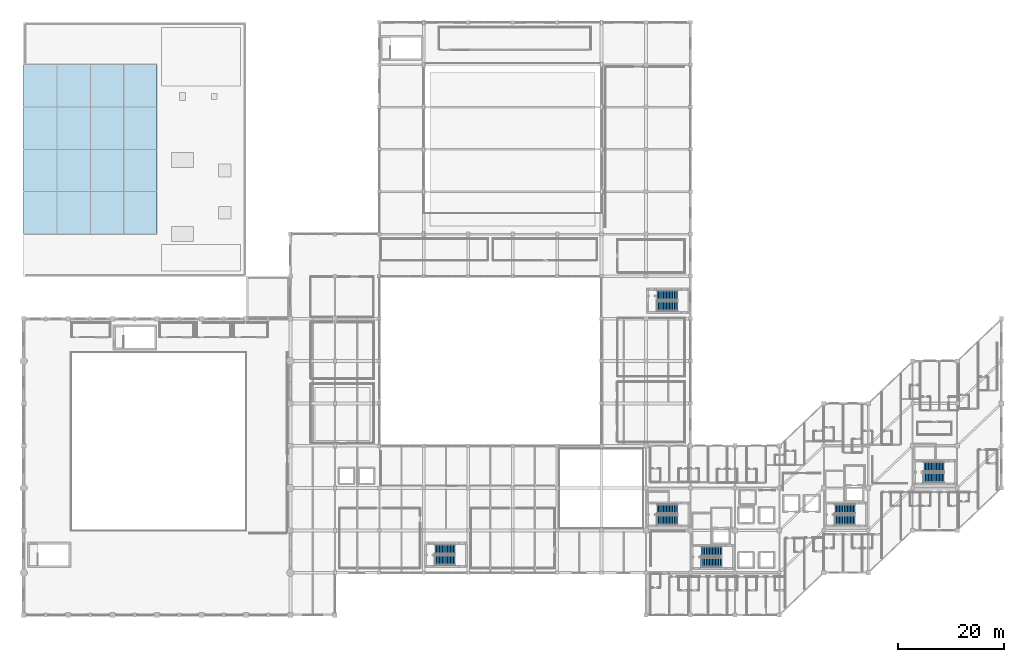
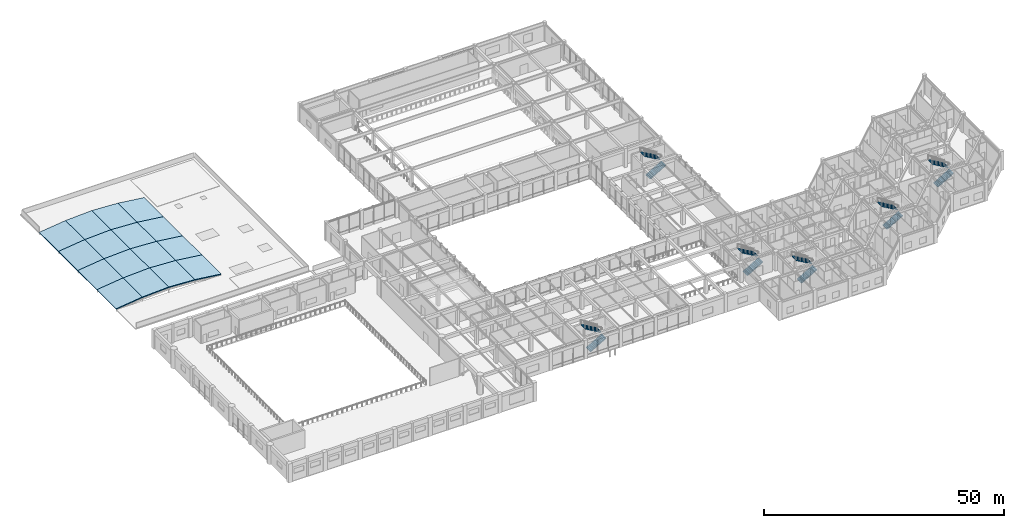
# One storey, part 66 of 76: 16 roofs, 12 stair flights, 6 elements without a shape of their own.
"""IFC4 building model written with IfcOpenShell, lengths in metres."""

from ifc_helpers import new_model, si_unit, direction, frame, origin, place, context, subcontext, project, spatial, polyline, outline, extrude, material, layer, layer_set, type_object, element, aggregate, save


model = new_model("IFC4")

# Units and contexts
model_context = context("Model", 3, precision=1e-05, world=origin(), true_north=direction((0.0, 1.0)))
body_context = subcontext(model_context, "Body", "Model", "MODEL_VIEW")
ifc_project = project(units=[si_unit("LENGTHUNIT", "METRE"), si_unit("AREAUNIT", "SQUARE_METRE"), si_unit("VOLUMEUNIT", "CUBIC_METRE"), si_unit("PLANEANGLEUNIT", "RADIAN"), si_unit("MASSUNIT", "GRAM", prefix="KILO")], contexts=[model_context])

# Site, building, storey
site_placement = place(None, origin())
site = spatial("IfcSite", under=ifc_project, at=site_placement, CompositionType="ELEMENT")
building_placement = place(site_placement, origin())
building = spatial("IfcBuilding", under=site, at=building_placement, Name="Naruveol Harbour Congress Hotel", CompositionType="ELEMENT")
storey_placement = place(building_placement, frame((0.0, 0.0, 11.39990234375)))
storey = spatial("IfcBuildingStorey", under=building, at=storey_placement, Name="L02", CompositionType="ELEMENT", Elevation=11.39990234375)

# Stair, stair flights
ifc_material_1 = material(Name="Concrete C40/50", Category="concrete")
stair_type = type_object("IfcStairType", Name="RC DOG LEG ESCAPE STAIR 1800W H4800", PredefinedType="HALF_TURN_STAIR", material=ifc_material_1)
stair_1_placement = place(storey_placement, origin())
stair_1 = element("IfcStair", 1, at=stair_1_placement, inside=storey, type_object=stair_type, Name="Special Escape Stair ST1 L02 to L03", PredefinedType="HALF_TURN_STAIR")
ifc_material_2 = material(Name="Concrete C40/50", Category="concrete")
stair_flight_type = type_object("IfcStairFlightType", Name="RC STRAIGHT STAIR FLIGHT 1800W R14", PredefinedType="STRAIGHT", material=ifc_material_2)
stair_flight_1_placement = place(storey_placement, frame((128.10009765625, 9.919921875, 0.0), z_axis=(0.0, 0.0, 1.0), x_axis=(1.0, 0.0, 0.0)))
stair_flight_1 = element("IfcStairFlight", 2, at=stair_flight_1_placement, type_object=stair_flight_type, Name="ST1 L02 lower flight", NumberOfRisers=14, NumberOfTreads=13, PredefinedType="STRAIGHT", RiserHeight=0.171429, TreadLength=0.295, context=body_context, shape_type="SweptSolid", body=[
    extrude(outline(polyline([(0.0, 0.0), (0.0, 0.17138671875), (0.294921875, 0.17138671875), (0.294921875, 0.3427734375), (0.590087890625, 0.3427734375), (0.590087890625, 0.514404296875), (0.885009765625, 0.514404296875), (0.885009765625, 0.685791015625), (1.179931640625, 0.685791015625), (1.179931640625, 0.857177734375), (1.47509765625, 0.857177734375), (1.47509765625, 1.028564453125), (1.77001953125, 1.028564453125), (1.77001953125, 1.199951171875), (2.06494140625, 1.199951171875), (2.06494140625, 1.371337890625), (2.360107421875, 1.371337890625), (2.360107421875, 1.54296875), (2.655029296875, 1.54296875), (2.655029296875, 1.71435546875), (2.949951171875, 1.71435546875), (2.949951171875, 1.8857421875), (3.2451171875, 1.8857421875), (3.2451171875, 2.05712890625), (3.5400390625, 2.05712890625), (3.5400390625, 2.228515625), (3.8349609375, 2.228515625), (3.8349609375, 2.39990234375), (3.8349609375, 2.043701171875), (0.318359375, 0.0), (0.0, 0.0)])), frame((0.0, 0.89990234375, 0.0), z_axis=(0.0, -1.0, 0.0), x_axis=(1.0, 0.0, 0.0)), (0.0, 0.0, 1.0), 1.800048828125),
])
stair_flight_2_placement = place(storey_placement, frame((131.93505859375, 12.0400390625, 2.400146484375), z_axis=(0.0, 0.0, 1.0), x_axis=(-1.0, 0.0, 0.0)))
stair_flight_2 = element("IfcStairFlight", 3, at=stair_flight_2_placement, type_object=stair_flight_type, Name="ST1 L02 upper flight", NumberOfRisers=14, NumberOfTreads=13, PredefinedType="STRAIGHT", RiserHeight=0.171429, TreadLength=0.295, context=body_context, shape_type="SweptSolid", body=[
    extrude(outline(polyline([(0.0, 0.0), (0.0, 0.17138671875), (0.294921875, 0.17138671875), (0.294921875, 0.3427734375), (0.590087890625, 0.3427734375), (0.590087890625, 0.514404296875), (0.885009765625, 0.514404296875), (0.885009765625, 0.685791015625), (1.179931640625, 0.685791015625), (1.179931640625, 0.857177734375), (1.47509765625, 0.857177734375), (1.47509765625, 1.028564453125), (1.77001953125, 1.028564453125), (1.77001953125, 1.199951171875), (2.06494140625, 1.199951171875), (2.06494140625, 1.371337890625), (2.360107421875, 1.371337890625), (2.360107421875, 1.54296875), (2.655029296875, 1.54296875), (2.655029296875, 1.71435546875), (2.949951171875, 1.71435546875), (2.949951171875, 1.8857421875), (3.2451171875, 1.8857421875), (3.2451171875, 2.05712890625), (3.5400390625, 2.05712890625), (3.5400390625, 2.228515625), (3.8349609375, 2.228515625), (3.8349609375, 2.39990234375), (3.8349609375, 2.043701171875), (0.318359375, 0.0), (0.0, 0.0)])), frame((0.0, 0.89990234375, 0.0), z_axis=(0.0, -1.0, 0.0), x_axis=(1.0, 0.0, 0.0)), (0.0, 0.0, 1.0), 1.800048828125),
])
aggregate(stair_1, [stair_flight_1, stair_flight_2])

stair_2_placement = place(storey_placement, origin())
stair_2 = element("IfcStair", 4, at=stair_2_placement, inside=storey, type_object=stair_type, Name="Special Escape Stair ST2 L02 to L03", PredefinedType="HALF_TURN_STAIR")
stair_flight_3_placement = place(storey_placement, frame((153.300048828125, 17.919921875, 0.0), z_axis=(0.0, 0.0, 1.0), x_axis=(1.0, 0.0, 0.0)))
stair_flight_3 = element("IfcStairFlight", 5, at=stair_flight_3_placement, type_object=stair_flight_type, Name="ST2 L02 lower flight", NumberOfRisers=14, NumberOfTreads=13, PredefinedType="STRAIGHT", RiserHeight=0.171429, TreadLength=0.295, context=body_context, shape_type="SweptSolid", body=[
    extrude(outline(polyline([(0.0, 0.0), (0.0, 0.17138671875), (0.294921875, 0.17138671875), (0.294921875, 0.3427734375), (0.590087890625, 0.3427734375), (0.590087890625, 0.514404296875), (0.885009765625, 0.514404296875), (0.885009765625, 0.685791015625), (1.179931640625, 0.685791015625), (1.179931640625, 0.857177734375), (1.47509765625, 0.857177734375), (1.47509765625, 1.028564453125), (1.77001953125, 1.028564453125), (1.77001953125, 1.199951171875), (2.06494140625, 1.199951171875), (2.06494140625, 1.371337890625), (2.360107421875, 1.371337890625), (2.360107421875, 1.54296875), (2.655029296875, 1.54296875), (2.655029296875, 1.71435546875), (2.949951171875, 1.71435546875), (2.949951171875, 1.8857421875), (3.2451171875, 1.8857421875), (3.2451171875, 2.05712890625), (3.5400390625, 2.05712890625), (3.5400390625, 2.228515625), (3.8349609375, 2.228515625), (3.8349609375, 2.39990234375), (3.8349609375, 2.043701171875), (0.318359375, 0.0), (0.0, 0.0)])), frame((0.0, 0.89990234375, 0.0), z_axis=(0.0, -1.0, 0.0), x_axis=(1.0, 0.0, 0.0)), (0.0, 0.0, 1.0), 1.800048828125),
])
stair_flight_4_placement = place(storey_placement, frame((157.135009765625, 20.0400390625, 2.400146484375), z_axis=(0.0, 0.0, 1.0), x_axis=(-1.0, 0.0, 0.0)))
stair_flight_4 = element("IfcStairFlight", 6, at=stair_flight_4_placement, type_object=stair_flight_type, Name="ST2 L02 upper flight", NumberOfRisers=14, NumberOfTreads=13, PredefinedType="STRAIGHT", RiserHeight=0.171429, TreadLength=0.295, context=body_context, shape_type="SweptSolid", body=[
    extrude(outline(polyline([(0.0, 0.0), (0.0, 0.17138671875), (0.294921875, 0.17138671875), (0.294921875, 0.3427734375), (0.590087890625, 0.3427734375), (0.590087890625, 0.514404296875), (0.885009765625, 0.514404296875), (0.885009765625, 0.685791015625), (1.179931640625, 0.685791015625), (1.179931640625, 0.857177734375), (1.47509765625, 0.857177734375), (1.47509765625, 1.028564453125), (1.77001953125, 1.028564453125), (1.77001953125, 1.199951171875), (2.06494140625, 1.199951171875), (2.06494140625, 1.371337890625), (2.360107421875, 1.371337890625), (2.360107421875, 1.54296875), (2.655029296875, 1.54296875), (2.655029296875, 1.71435546875), (2.949951171875, 1.71435546875), (2.949951171875, 1.8857421875), (3.2451171875, 1.8857421875), (3.2451171875, 2.05712890625), (3.5400390625, 2.05712890625), (3.5400390625, 2.228515625), (3.8349609375, 2.228515625), (3.8349609375, 2.39990234375), (3.8349609375, 2.043701171875), (0.318359375, 0.0), (0.0, 0.0)])), frame((0.0, 0.89990234375, 0.0), z_axis=(0.0, -1.0, 0.0), x_axis=(1.0, 0.0, 0.0)), (0.0, 0.0, 1.0), 1.800048828125),
])
aggregate(stair_2, [stair_flight_3, stair_flight_4])

stair_3_placement = place(storey_placement, origin())
stair_3 = element("IfcStair", 7, at=stair_3_placement, inside=storey, type_object=stair_type, Name="Special Escape Stair ST3 L02 to L03", PredefinedType="HALF_TURN_STAIR")
stair_flight_5_placement = place(storey_placement, frame((119.699951171875, 17.919921875, 0.0), z_axis=(0.0, 0.0, 1.0), x_axis=(1.0, 0.0, 0.0)))
stair_flight_5 = element("IfcStairFlight", 8, at=stair_flight_5_placement, type_object=stair_flight_type, Name="ST3 L02 lower flight", NumberOfRisers=14, NumberOfTreads=13, PredefinedType="STRAIGHT", RiserHeight=0.171429, TreadLength=0.295, context=body_context, shape_type="SweptSolid", body=[
    extrude(outline(polyline([(0.0, 0.0), (0.0, 0.17138671875), (0.294921875, 0.17138671875), (0.294921875, 0.3427734375), (0.590087890625, 0.3427734375), (0.590087890625, 0.514404296875), (0.885009765625, 0.514404296875), (0.885009765625, 0.685791015625), (1.179931640625, 0.685791015625), (1.179931640625, 0.857177734375), (1.47509765625, 0.857177734375), (1.47509765625, 1.028564453125), (1.77001953125, 1.028564453125), (1.77001953125, 1.199951171875), (2.06494140625, 1.199951171875), (2.06494140625, 1.371337890625), (2.360107421875, 1.371337890625), (2.360107421875, 1.54296875), (2.655029296875, 1.54296875), (2.655029296875, 1.71435546875), (2.949951171875, 1.71435546875), (2.949951171875, 1.8857421875), (3.2451171875, 1.8857421875), (3.2451171875, 2.05712890625), (3.5400390625, 2.05712890625), (3.5400390625, 2.228515625), (3.8349609375, 2.228515625), (3.8349609375, 2.39990234375), (3.8349609375, 2.043701171875), (0.318359375, 0.0), (0.0, 0.0)])), frame((0.0, 0.89990234375, 0.0), z_axis=(0.0, -1.0, 0.0), x_axis=(1.0, 0.0, 0.0)), (0.0, 0.0, 1.0), 1.800048828125),
])
stair_flight_6_placement = place(storey_placement, frame((123.534912109375, 20.0400390625, 2.400146484375), z_axis=(0.0, 0.0, 1.0), x_axis=(-1.0, 0.0, 0.0)))
stair_flight_6 = element("IfcStairFlight", 9, at=stair_flight_6_placement, type_object=stair_flight_type, Name="ST3 L02 upper flight", NumberOfRisers=14, NumberOfTreads=13, PredefinedType="STRAIGHT", RiserHeight=0.171429, TreadLength=0.295, context=body_context, shape_type="SweptSolid", body=[
    extrude(outline(polyline([(0.0, 0.0), (0.0, 0.17138671875), (0.294921875, 0.17138671875), (0.294921875, 0.3427734375), (0.590087890625, 0.3427734375), (0.590087890625, 0.514404296875), (0.885009765625, 0.514404296875), (0.885009765625, 0.685791015625), (1.179931640625, 0.685791015625), (1.179931640625, 0.857177734375), (1.47509765625, 0.857177734375), (1.47509765625, 1.028564453125), (1.77001953125, 1.028564453125), (1.77001953125, 1.199951171875), (2.06494140625, 1.199951171875), (2.06494140625, 1.371337890625), (2.360107421875, 1.371337890625), (2.360107421875, 1.54296875), (2.655029296875, 1.54296875), (2.655029296875, 1.71435546875), (2.949951171875, 1.71435546875), (2.949951171875, 1.8857421875), (3.2451171875, 1.8857421875), (3.2451171875, 2.05712890625), (3.5400390625, 2.05712890625), (3.5400390625, 2.228515625), (3.8349609375, 2.228515625), (3.8349609375, 2.39990234375), (3.8349609375, 2.043701171875), (0.318359375, 0.0), (0.0, 0.0)])), frame((0.0, 0.89990234375, 0.0), z_axis=(0.0, -1.0, 0.0), x_axis=(1.0, 0.0, 0.0)), (0.0, 0.0, 1.0), 1.800048828125),
])
aggregate(stair_3, [stair_flight_5, stair_flight_6])

stair_4_placement = place(storey_placement, origin())
stair_4 = element("IfcStair", 10, at=stair_4_placement, inside=storey, type_object=stair_type, Name="Special Escape Stair ST4 L02 to L03", PredefinedType="HALF_TURN_STAIR")
stair_flight_7_placement = place(storey_placement, frame((170.10009765625, 25.919921875, 0.0), z_axis=(0.0, 0.0, 1.0), x_axis=(1.0, 0.0, 0.0)))
stair_flight_7 = element("IfcStairFlight", 11, at=stair_flight_7_placement, type_object=stair_flight_type, Name="ST4 L02 lower flight", NumberOfRisers=14, NumberOfTreads=13, PredefinedType="STRAIGHT", RiserHeight=0.171429, TreadLength=0.295, context=body_context, shape_type="SweptSolid", body=[
    extrude(outline(polyline([(0.0, 0.0), (0.0, 0.17138671875), (0.294921875, 0.17138671875), (0.294921875, 0.3427734375), (0.590087890625, 0.3427734375), (0.590087890625, 0.514404296875), (0.885009765625, 0.514404296875), (0.885009765625, 0.685791015625), (1.179931640625, 0.685791015625), (1.179931640625, 0.857177734375), (1.47509765625, 0.857177734375), (1.47509765625, 1.028564453125), (1.77001953125, 1.028564453125), (1.77001953125, 1.199951171875), (2.06494140625, 1.199951171875), (2.06494140625, 1.371337890625), (2.360107421875, 1.371337890625), (2.360107421875, 1.54296875), (2.655029296875, 1.54296875), (2.655029296875, 1.71435546875), (2.949951171875, 1.71435546875), (2.949951171875, 1.8857421875), (3.2451171875, 1.8857421875), (3.2451171875, 2.05712890625), (3.5400390625, 2.05712890625), (3.5400390625, 2.228515625), (3.8349609375, 2.228515625), (3.8349609375, 2.39990234375), (3.8349609375, 2.043701171875), (0.318359375, 0.0), (0.0, 0.0)])), frame((0.0, 0.89990234375, 0.0), z_axis=(0.0, -1.0, 0.0), x_axis=(1.0, 0.0, 0.0)), (0.0, 0.0, 1.0), 1.800048828125),
])
stair_flight_8_placement = place(storey_placement, frame((173.93505859375, 28.0400390625, 2.400146484375), z_axis=(0.0, 0.0, 1.0), x_axis=(-1.0, 0.0, 0.0)))
stair_flight_8 = element("IfcStairFlight", 12, at=stair_flight_8_placement, type_object=stair_flight_type, Name="ST4 L02 upper flight", NumberOfRisers=14, NumberOfTreads=13, PredefinedType="STRAIGHT", RiserHeight=0.171429, TreadLength=0.295, context=body_context, shape_type="SweptSolid", body=[
    extrude(outline(polyline([(0.0, 0.0), (0.0, 0.17138671875), (0.294921875, 0.17138671875), (0.294921875, 0.3427734375), (0.590087890625, 0.3427734375), (0.590087890625, 0.514404296875), (0.885009765625, 0.514404296875), (0.885009765625, 0.685791015625), (1.179931640625, 0.685791015625), (1.179931640625, 0.857177734375), (1.47509765625, 0.857177734375), (1.47509765625, 1.028564453125), (1.77001953125, 1.028564453125), (1.77001953125, 1.199951171875), (2.06494140625, 1.199951171875), (2.06494140625, 1.371337890625), (2.360107421875, 1.371337890625), (2.360107421875, 1.54296875), (2.655029296875, 1.54296875), (2.655029296875, 1.71435546875), (2.949951171875, 1.71435546875), (2.949951171875, 1.8857421875), (3.2451171875, 1.8857421875), (3.2451171875, 2.05712890625), (3.5400390625, 2.05712890625), (3.5400390625, 2.228515625), (3.8349609375, 2.228515625), (3.8349609375, 2.39990234375), (3.8349609375, 2.043701171875), (0.318359375, 0.0), (0.0, 0.0)])), frame((0.0, 0.89990234375, 0.0), z_axis=(0.0, -1.0, 0.0), x_axis=(1.0, 0.0, 0.0)), (0.0, 0.0, 1.0), 1.800048828125),
])
aggregate(stair_4, [stair_flight_7, stair_flight_8])

stair_5_placement = place(storey_placement, origin())
stair_5 = element("IfcStair", 13, at=stair_5_placement, inside=storey, type_object=stair_type, Name="Courtyard North-East Exit Stair ST9 L02 to L03", PredefinedType="HALF_TURN_STAIR")
stair_flight_9_placement = place(storey_placement, frame((119.699951171875, 58.320068359375, 0.0), z_axis=(0.0, 0.0, 1.0), x_axis=(1.0, 0.0, 0.0)))
stair_flight_9 = element("IfcStairFlight", 14, at=stair_flight_9_placement, type_object=stair_flight_type, Name="ST9 L02 lower flight", NumberOfRisers=14, NumberOfTreads=13, PredefinedType="STRAIGHT", RiserHeight=0.171429, TreadLength=0.295, context=body_context, shape_type="SweptSolid", body=[
    extrude(outline(polyline([(0.0, 0.0), (0.0, 0.17138671875), (0.294921875, 0.17138671875), (0.294921875, 0.3427734375), (0.590087890625, 0.3427734375), (0.590087890625, 0.514404296875), (0.885009765625, 0.514404296875), (0.885009765625, 0.685791015625), (1.179931640625, 0.685791015625), (1.179931640625, 0.857177734375), (1.47509765625, 0.857177734375), (1.47509765625, 1.028564453125), (1.77001953125, 1.028564453125), (1.77001953125, 1.199951171875), (2.06494140625, 1.199951171875), (2.06494140625, 1.371337890625), (2.360107421875, 1.371337890625), (2.360107421875, 1.54296875), (2.655029296875, 1.54296875), (2.655029296875, 1.71435546875), (2.949951171875, 1.71435546875), (2.949951171875, 1.8857421875), (3.2451171875, 1.8857421875), (3.2451171875, 2.05712890625), (3.5400390625, 2.05712890625), (3.5400390625, 2.228515625), (3.8349609375, 2.228515625), (3.8349609375, 2.39990234375), (3.8349609375, 2.043701171875), (0.318359375, 0.0), (0.0, 0.0)])), frame((0.0, 0.89990234375, 0.0), z_axis=(0.0, -1.0, 0.0), x_axis=(1.0, 0.0, 0.0)), (0.0, 0.0, 1.0), 1.800048828125),
])
stair_flight_10_placement = place(storey_placement, frame((123.534912109375, 60.43994140625, 2.400146484375), z_axis=(0.0, 0.0, 1.0), x_axis=(-1.0, 0.0, 0.0)))
stair_flight_10 = element("IfcStairFlight", 15, at=stair_flight_10_placement, type_object=stair_flight_type, Name="ST9 L02 upper flight", NumberOfRisers=14, NumberOfTreads=13, PredefinedType="STRAIGHT", RiserHeight=0.171429, TreadLength=0.295, context=body_context, shape_type="SweptSolid", body=[
    extrude(outline(polyline([(0.0, 0.0), (0.0, 0.17138671875), (0.294921875, 0.17138671875), (0.294921875, 0.3427734375), (0.590087890625, 0.3427734375), (0.590087890625, 0.514404296875), (0.885009765625, 0.514404296875), (0.885009765625, 0.685791015625), (1.179931640625, 0.685791015625), (1.179931640625, 0.857177734375), (1.47509765625, 0.857177734375), (1.47509765625, 1.028564453125), (1.77001953125, 1.028564453125), (1.77001953125, 1.199951171875), (2.06494140625, 1.199951171875), (2.06494140625, 1.371337890625), (2.360107421875, 1.371337890625), (2.360107421875, 1.54296875), (2.655029296875, 1.54296875), (2.655029296875, 1.71435546875), (2.949951171875, 1.71435546875), (2.949951171875, 1.8857421875), (3.2451171875, 1.8857421875), (3.2451171875, 2.05712890625), (3.5400390625, 2.05712890625), (3.5400390625, 2.228515625), (3.8349609375, 2.228515625), (3.8349609375, 2.39990234375), (3.8349609375, 2.043701171875), (0.318359375, 0.0), (0.0, 0.0)])), frame((0.0, 0.89990234375, 0.0), z_axis=(0.0, -1.0, 0.0), x_axis=(1.0, 0.0, 0.0)), (0.0, 0.0, 1.0), 1.800048828125),
])
aggregate(stair_5, [stair_flight_9, stair_flight_10])

stair_6_placement = place(storey_placement, origin())
stair_6 = element("IfcStair", 16, at=stair_6_placement, inside=storey, type_object=stair_type, Name="Courtyard South-West Exit Stair ST10 L02 to L03", PredefinedType="HALF_TURN_STAIR")
stair_flight_11_placement = place(storey_placement, frame((77.699951171875, 10.320068359375, 0.0), z_axis=(0.0, 0.0, 1.0), x_axis=(1.0, 0.0, 0.0)))
stair_flight_11 = element("IfcStairFlight", 17, at=stair_flight_11_placement, type_object=stair_flight_type, Name="ST10 L02 lower flight", NumberOfRisers=14, NumberOfTreads=13, PredefinedType="STRAIGHT", RiserHeight=0.171429, TreadLength=0.295, context=body_context, shape_type="SweptSolid", body=[
    extrude(outline(polyline([(0.0, 0.0), (0.0, 0.17138671875), (0.294921875, 0.17138671875), (0.294921875, 0.3427734375), (0.590087890625, 0.3427734375), (0.590087890625, 0.514404296875), (0.885009765625, 0.514404296875), (0.885009765625, 0.685791015625), (1.179931640625, 0.685791015625), (1.179931640625, 0.857177734375), (1.47509765625, 0.857177734375), (1.47509765625, 1.028564453125), (1.77001953125, 1.028564453125), (1.77001953125, 1.199951171875), (2.06494140625, 1.199951171875), (2.06494140625, 1.371337890625), (2.360107421875, 1.371337890625), (2.360107421875, 1.54296875), (2.655029296875, 1.54296875), (2.655029296875, 1.71435546875), (2.949951171875, 1.71435546875), (2.949951171875, 1.8857421875), (3.2451171875, 1.8857421875), (3.2451171875, 2.05712890625), (3.5400390625, 2.05712890625), (3.5400390625, 2.228515625), (3.8349609375, 2.228515625), (3.8349609375, 2.39990234375), (3.8349609375, 2.043701171875), (0.318359375, 0.0), (0.0, 0.0)])), frame((0.0, 0.89990234375, 0.0), z_axis=(0.0, -1.0, 0.0), x_axis=(1.0, 0.0, 0.0)), (0.0, 0.0, 1.0), 1.800048828125),
])
stair_flight_12_placement = place(storey_placement, frame((81.534912109375, 12.43994140625, 2.400146484375), z_axis=(0.0, 0.0, 1.0), x_axis=(-1.0, 0.0, 0.0)))
stair_flight_12 = element("IfcStairFlight", 18, at=stair_flight_12_placement, type_object=stair_flight_type, Name="ST10 L02 upper flight", NumberOfRisers=14, NumberOfTreads=13, PredefinedType="STRAIGHT", RiserHeight=0.171429, TreadLength=0.295, context=body_context, shape_type="SweptSolid", body=[
    extrude(outline(polyline([(0.0, 0.0), (0.0, 0.17138671875), (0.294921875, 0.17138671875), (0.294921875, 0.3427734375), (0.590087890625, 0.3427734375), (0.590087890625, 0.514404296875), (0.885009765625, 0.514404296875), (0.885009765625, 0.685791015625), (1.179931640625, 0.685791015625), (1.179931640625, 0.857177734375), (1.47509765625, 0.857177734375), (1.47509765625, 1.028564453125), (1.77001953125, 1.028564453125), (1.77001953125, 1.199951171875), (2.06494140625, 1.199951171875), (2.06494140625, 1.371337890625), (2.360107421875, 1.371337890625), (2.360107421875, 1.54296875), (2.655029296875, 1.54296875), (2.655029296875, 1.71435546875), (2.949951171875, 1.71435546875), (2.949951171875, 1.8857421875), (3.2451171875, 1.8857421875), (3.2451171875, 2.05712890625), (3.5400390625, 2.05712890625), (3.5400390625, 2.228515625), (3.8349609375, 2.228515625), (3.8349609375, 2.39990234375), (3.8349609375, 2.043701171875), (0.318359375, 0.0), (0.0, 0.0)])), frame((0.0, 0.89990234375, 0.0), z_axis=(0.0, -1.0, 0.0), x_axis=(1.0, 0.0, 0.0)), (0.0, 0.0, 1.0), 1.800048828125),
])
aggregate(stair_6, [stair_flight_11, stair_flight_12])

# Roofs
ifc_material_3 = material(Name="Concrete C40/50", Category="concrete")
ifc_layer = layer(ifc_material_3, 0.239990234375)
ifc_layer_set = layer_set([ifc_layer], Name="Concrete C40/50")
roof_type = type_object("IfcRoofType", Name="SEGMENTAL THERMAL VAULT BARREL ROOF 240", PredefinedType="BARREL_ROOF", material=ifc_layer_set)
roof_1_placement = place(storey_placement, frame((0.0, 72.0, 0.22021484375), z_axis=(-0.122837099396, 0.0, 0.992426847184), x_axis=(0.992426847184, 0.0, 0.122837099396)))
element("IfcRoof", 19, at=roof_1_placement, inside=storey, type_object=roof_type, Name="Thermal Spa segmental barrel vault bay 1.1", PredefinedType="BARREL_ROOF", context=body_context, shape_type="SweptSolid", body=[
    extrude(outline(polyline([(0.0, 0.0), (6.348124142348432, 0.0), (6.348124142348432, 8.0), (0.0, 8.0), (0.0, 0.0)])), origin(), (0.0, 0.0, -1.0), 0.239990234375),
])
roof_2_placement = place(storey_placement, frame((6.300048828125, 72.0, 1.0), z_axis=(-0.050738670219, 0.0, 0.998711964154), x_axis=(0.998711964154, 0.0, 0.050738670219)))
element("IfcRoof", 20, at=roof_2_placement, inside=storey, type_object=roof_type, Name="Thermal Spa segmental barrel vault bay 1.2", PredefinedType="BARREL_ROOF", context=body_context, shape_type="SweptSolid", body=[
    extrude(outline(polyline([(0.0, 0.0), (6.308173982336901, 0.0), (6.308173982336901, 8.0), (0.0, 8.0), (0.0, 0.0)])), origin(), (0.0, 0.0, -1.0), 0.239990234375),
])
roof_3_placement = place(storey_placement, frame((12.60009765625, 72.0, 1.320068359375), z_axis=(0.050740631467, 0.0, 0.998711864513), x_axis=(0.998711864513, 0.0, -0.050740631467)))
element("IfcRoof", 21, at=roof_3_placement, inside=storey, type_object=roof_type, Name="Thermal Spa segmental barrel vault bay 1.3", PredefinedType="BARREL_ROOF", context=body_context, shape_type="SweptSolid", body=[
    extrude(outline(polyline([(0.0, 0.0), (6.3079301561859396, 0.0), (6.3079301561859396, 8.0), (0.0, 8.0), (0.0, 0.0)])), origin(), (0.0, 0.0, -1.0), 0.239990234375),
])
for number, where, z_axis, x_axis, name in (
    (22, (18.89990234375, 72.0, 1.0), (0.122837099396, 0.0, 0.992426847184), (0.992426847184, 0.0, -0.122837099396), "Thermal Spa segmental barrel vault bay 1.4"),
    (23, (0.0, 80.0, 0.22021484375), (-0.122837099396, 0.0, 0.992426847184), (0.992426847184, 0.0, 0.122837099396), "Thermal Spa segmental barrel vault bay 2.1"),
):
    element("IfcRoof", number, at=place(storey_placement, frame(where, z_axis=z_axis, x_axis=x_axis)), inside=storey, type_object=roof_type, Name=name, PredefinedType="BARREL_ROOF", context=body_context, shape_type="SweptSolid", body=[
        extrude(outline(polyline([(0.0, 0.0), (6.348124142348432, 0.0), (6.348124142348432, 8.0), (0.0, 8.0), (0.0, 0.0)])), origin(), (0.0, 0.0, -1.0), 0.239990234375),
    ])
roof_4_placement = place(storey_placement, frame((6.300048828125, 80.0, 1.0), z_axis=(-0.050738670219, 0.0, 0.998711964154), x_axis=(0.998711964154, 0.0, 0.050738670219)))
element("IfcRoof", 24, at=roof_4_placement, inside=storey, type_object=roof_type, Name="Thermal Spa segmental barrel vault bay 2.2", PredefinedType="BARREL_ROOF", context=body_context, shape_type="SweptSolid", body=[
    extrude(outline(polyline([(0.0, 0.0), (6.308173982336901, 0.0), (6.308173982336901, 8.0), (0.0, 8.0), (0.0, 0.0)])), origin(), (0.0, 0.0, -1.0), 0.239990234375),
])
roof_5_placement = place(storey_placement, frame((12.60009765625, 80.0, 1.320068359375), z_axis=(0.050740631467, 0.0, 0.998711864513), x_axis=(0.998711864513, 0.0, -0.050740631467)))
element("IfcRoof", 25, at=roof_5_placement, inside=storey, type_object=roof_type, Name="Thermal Spa segmental barrel vault bay 2.3", PredefinedType="BARREL_ROOF", context=body_context, shape_type="SweptSolid", body=[
    extrude(outline(polyline([(0.0, 0.0), (6.3079301561859396, 0.0), (6.3079301561859396, 8.0), (0.0, 8.0), (0.0, 0.0)])), origin(), (0.0, 0.0, -1.0), 0.239990234375),
])
for number, where, z_axis, x_axis, name in (
    (26, (18.89990234375, 80.0, 1.0), (0.122837099396, 0.0, 0.992426847184), (0.992426847184, 0.0, -0.122837099396), "Thermal Spa segmental barrel vault bay 2.4"),
    (27, (0.0, 88.0, 0.22021484375), (-0.122837099396, 0.0, 0.992426847184), (0.992426847184, 0.0, 0.122837099396), "Thermal Spa segmental barrel vault bay 3.1"),
):
    element("IfcRoof", number, at=place(storey_placement, frame(where, z_axis=z_axis, x_axis=x_axis)), inside=storey, type_object=roof_type, Name=name, PredefinedType="BARREL_ROOF", context=body_context, shape_type="SweptSolid", body=[
        extrude(outline(polyline([(0.0, 0.0), (6.348124142348432, 0.0), (6.348124142348432, 8.0), (0.0, 8.0), (0.0, 0.0)])), origin(), (0.0, 0.0, -1.0), 0.239990234375),
    ])
roof_6_placement = place(storey_placement, frame((6.300048828125, 88.0, 1.0), z_axis=(-0.050738670219, 0.0, 0.998711964154), x_axis=(0.998711964154, 0.0, 0.050738670219)))
element("IfcRoof", 28, at=roof_6_placement, inside=storey, type_object=roof_type, Name="Thermal Spa segmental barrel vault bay 3.2", PredefinedType="BARREL_ROOF", context=body_context, shape_type="SweptSolid", body=[
    extrude(outline(polyline([(0.0, 0.0), (6.308173982336901, 0.0), (6.308173982336901, 8.0), (0.0, 8.0), (0.0, 0.0)])), origin(), (0.0, 0.0, -1.0), 0.239990234375),
])
roof_7_placement = place(storey_placement, frame((12.60009765625, 88.0, 1.320068359375), z_axis=(0.050740631467, 0.0, 0.998711864513), x_axis=(0.998711864513, 0.0, -0.050740631467)))
element("IfcRoof", 29, at=roof_7_placement, inside=storey, type_object=roof_type, Name="Thermal Spa segmental barrel vault bay 3.3", PredefinedType="BARREL_ROOF", context=body_context, shape_type="SweptSolid", body=[
    extrude(outline(polyline([(0.0, 0.0), (6.3079301561859396, 0.0), (6.3079301561859396, 8.0), (0.0, 8.0), (0.0, 0.0)])), origin(), (0.0, 0.0, -1.0), 0.239990234375),
])
for number, where, z_axis, x_axis, name in (
    (30, (18.89990234375, 88.0, 1.0), (0.122837099396, 0.0, 0.992426847184), (0.992426847184, 0.0, -0.122837099396), "Thermal Spa segmental barrel vault bay 3.4"),
    (31, (0.0, 96.0, 0.22021484375), (-0.122837099396, 0.0, 0.992426847184), (0.992426847184, 0.0, 0.122837099396), "Thermal Spa segmental barrel vault bay 4.1"),
):
    element("IfcRoof", number, at=place(storey_placement, frame(where, z_axis=z_axis, x_axis=x_axis)), inside=storey, type_object=roof_type, Name=name, PredefinedType="BARREL_ROOF", context=body_context, shape_type="SweptSolid", body=[
        extrude(outline(polyline([(0.0, 0.0), (6.348124142348432, 0.0), (6.348124142348432, 8.0), (0.0, 8.0), (0.0, 0.0)])), origin(), (0.0, 0.0, -1.0), 0.239990234375),
    ])
roof_8_placement = place(storey_placement, frame((6.300048828125, 96.0, 1.0), z_axis=(-0.050738670219, 0.0, 0.998711964154), x_axis=(0.998711964154, 0.0, 0.050738670219)))
element("IfcRoof", 32, at=roof_8_placement, inside=storey, type_object=roof_type, Name="Thermal Spa segmental barrel vault bay 4.2", PredefinedType="BARREL_ROOF", context=body_context, shape_type="SweptSolid", body=[
    extrude(outline(polyline([(0.0, 0.0), (6.308173982336901, 0.0), (6.308173982336901, 8.0), (0.0, 8.0), (0.0, 0.0)])), origin(), (0.0, 0.0, -1.0), 0.239990234375),
])
roof_9_placement = place(storey_placement, frame((12.60009765625, 96.0, 1.320068359375), z_axis=(0.050740631467, 0.0, 0.998711864513), x_axis=(0.998711864513, 0.0, -0.050740631467)))
element("IfcRoof", 33, at=roof_9_placement, inside=storey, type_object=roof_type, Name="Thermal Spa segmental barrel vault bay 4.3", PredefinedType="BARREL_ROOF", context=body_context, shape_type="SweptSolid", body=[
    extrude(outline(polyline([(0.0, 0.0), (6.3079301561859396, 0.0), (6.3079301561859396, 8.0), (0.0, 8.0), (0.0, 0.0)])), origin(), (0.0, 0.0, -1.0), 0.239990234375),
])
roof_10_placement = place(storey_placement, frame((18.89990234375, 96.0, 1.0), z_axis=(0.122837099396, 0.0, 0.992426847184), x_axis=(0.992426847184, 0.0, -0.122837099396)))
element("IfcRoof", 34, at=roof_10_placement, inside=storey, type_object=roof_type, Name="Thermal Spa segmental barrel vault bay 4.4", PredefinedType="BARREL_ROOF", context=body_context, shape_type="SweptSolid", body=[
    extrude(outline(polyline([(0.0, 0.0), (6.348124142348432, 0.0), (6.348124142348432, 8.0), (0.0, 8.0), (0.0, 0.0)])), origin(), (0.0, 0.0, -1.0), 0.239990234375),
])

save(model, "model.ifc")
